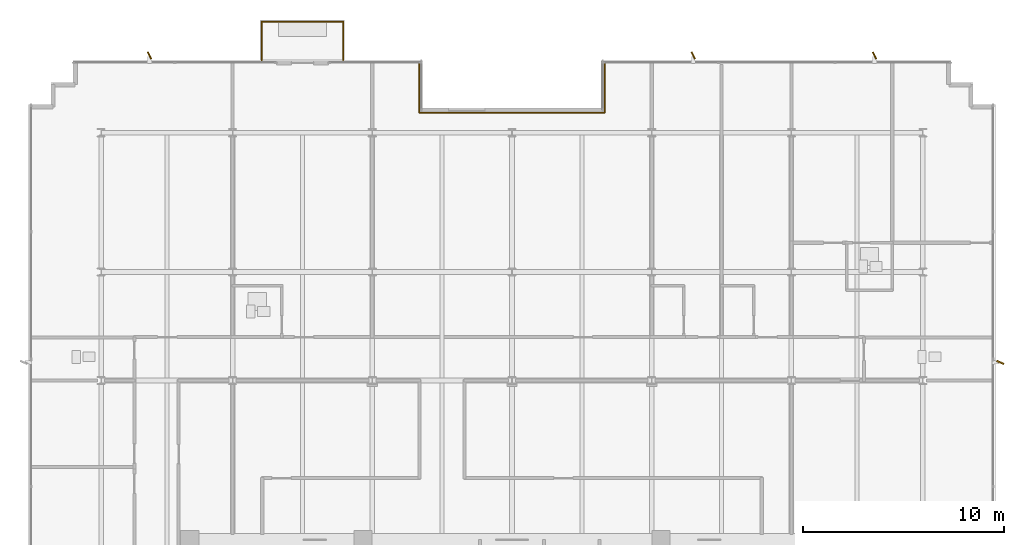
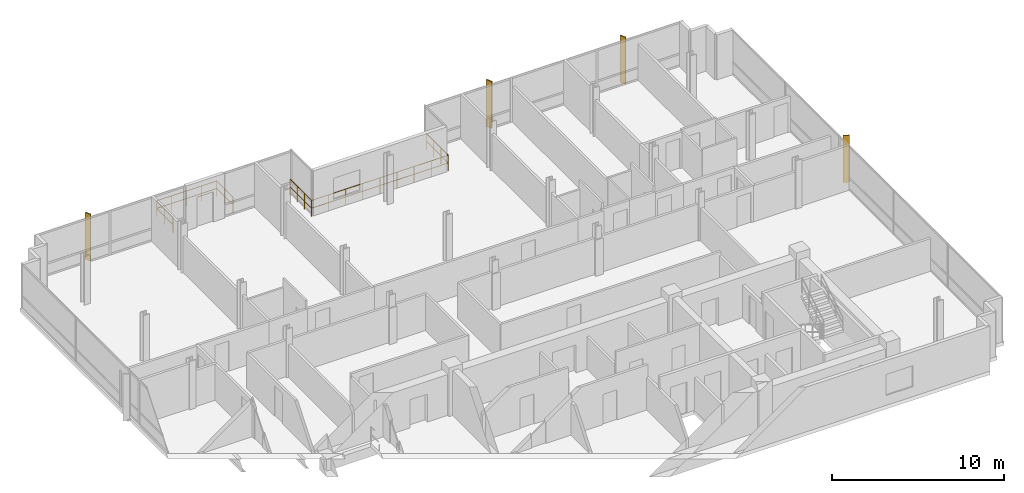
# One storey, part 16 of 17: 6 railings, 4 shading devices.
"""IFC4 building model written with IfcOpenShell, lengths in metres."""

from ifc_helpers import new_model, si_unit, direction, frame, origin, origin_2d, place, context, subcontext, project, spatial, rectangle, circle, extrude, material, layer, layer_set, type_object, element, save


model = new_model("IFC4")

# Units and contexts
model_context = context("Model", 3, precision=1e-05, world=origin(), true_north=direction((0.0, 1.0)))
body_context = subcontext(model_context, "Body", "Model", "MODEL_VIEW")
ifc_project = project(units=[si_unit("LENGTHUNIT", "METRE"), si_unit("AREAUNIT", "SQUARE_METRE"), si_unit("VOLUMEUNIT", "CUBIC_METRE"), si_unit("PLANEANGLEUNIT", "RADIAN"), si_unit("MASSUNIT", "GRAM", prefix="KILO")], contexts=[model_context])

# Site, building, storey
site_placement = place(None, origin())
site = spatial("IfcSite", under=ifc_project, at=site_placement, CompositionType="ELEMENT")
building_placement = place(site_placement, origin())
building = spatial("IfcBuilding", under=site, at=building_placement, Name="Solmavex Isthmus Hotel", CompositionType="ELEMENT")
storey_placement = place(building_placement, frame((0.0, 0.0, 266.10009765625)))
storey = spatial("IfcBuildingStorey", under=building, at=storey_placement, Name="L72", CompositionType="ELEMENT", Elevation=266.10009765625)

# Railings
ifc_material_1 = material(Name="Clear low-E laminated glass", Category="glass")
ifc_layer_1 = layer(ifc_material_1, 0.080078125)
ifc_layer_set_1 = layer_set([ifc_layer_1], Name="Clear low-E laminated glass")
railing_type_1 = type_object("IfcRailingType", Name="RAIL-ATRIUM-1120", PredefinedType="BALUSTRADE", material=ifc_layer_set_1)
railing_1_placement = place(storey_placement, frame((-4.60009765625, 21.219970703125, 0.0)))
element("IfcRailing", 1, at=railing_1_placement, inside=storey, type_object=railing_type_1, Name="Guardrail Balustrade L72-SGV-01", PredefinedType="BALUSTRADE", context=body_context, shape_type="SweptSolid", body=[
    extrude(circle(Radius=0.02392578125, at=origin_2d()), frame((0.0, 0.0, 1.1259765625), z_axis=(0.0, -1.0, 0.0), x_axis=(1.0, 0.0, 0.0)), (0.0, 0.0, 1.0), 2.52001953125),
    extrude(circle(Radius=0.02392578125, at=origin_2d()), frame((0.0, 0.0, 0.574951171875), z_axis=(0.0, -1.0, 0.0), x_axis=(1.0, 0.0, 0.0)), (0.0, 0.0, 1.0), 2.52001953125),
    extrude(circle(Radius=0.02099609375, at=origin_2d()), origin(), (0.0, 0.0, 1.0), 1.101806640625),
    extrude(circle(Radius=0.02099609375, at=origin_2d()), frame((0.0, -0.840087890625, 0.0)), (0.0, 0.0, 1.0), 1.101806640625),
    extrude(circle(Radius=0.02099609375, at=origin_2d()), frame((0.0, -1.679931640625, 0.0)), (0.0, 0.0, 1.0), 1.101806640625),
    extrude(circle(Radius=0.02099609375, at=origin_2d()), frame((0.0, -2.52001953125, 0.0)), (0.0, 0.0, 1.0), 1.101806640625),
])
railing_2_placement = place(storey_placement, frame((-4.60009765625, 18.699951171875, 0.0)))
element("IfcRailing", 2, at=railing_2_placement, inside=storey, type_object=railing_type_1, Name="Guardrail Balustrade L72-SGV-02", PredefinedType="BALUSTRADE", context=body_context, shape_type="SweptSolid", body=[
    extrude(circle(Radius=0.02392578125, at=origin_2d()), frame((0.0, 0.0, 1.1259765625), z_axis=(1.0, 0.0, 0.0), x_axis=(0.0, 1.0, 0.0)), (0.0, 0.0, 1.0), 9.2001953125),
    extrude(circle(Radius=0.02392578125, at=origin_2d()), frame((0.0, 0.0, 0.574951171875), z_axis=(1.0, 0.0, 0.0), x_axis=(0.0, 1.0, 0.0)), (0.0, 0.0, 1.0), 9.2001953125),
    extrude(circle(Radius=0.02099609375, at=origin_2d()), origin(), (0.0, 0.0, 1.0), 1.101806640625),
    extrude(circle(Radius=0.02099609375, at=origin_2d()), frame((1.14990234375, 0.0, 0.0)), (0.0, 0.0, 1.0), 1.101806640625),
    extrude(circle(Radius=0.02099609375, at=origin_2d()), frame((2.300048828125, 0.0, 0.0)), (0.0, 0.0, 1.0), 1.101806640625),
    extrude(circle(Radius=0.02099609375, at=origin_2d()), frame((3.4501953125, 0.0, 0.0)), (0.0, 0.0, 1.0), 1.101806640625),
    extrude(circle(Radius=0.02099609375, at=origin_2d()), frame((4.60009765625, 0.0, 0.0)), (0.0, 0.0, 1.0), 1.101806640625),
    extrude(circle(Radius=0.02099609375, at=origin_2d()), frame((5.75, 0.0, 0.0)), (0.0, 0.0, 1.0), 1.101806640625),
    extrude(circle(Radius=0.02099609375, at=origin_2d()), frame((6.900146484375, 0.0, 0.0)), (0.0, 0.0, 1.0), 1.101806640625),
    extrude(circle(Radius=0.02099609375, at=origin_2d()), frame((8.05029296875, 0.0, 0.0)), (0.0, 0.0, 1.0), 1.101806640625),
    extrude(circle(Radius=0.02099609375, at=origin_2d()), frame((9.2001953125, 0.0, 0.0)), (0.0, 0.0, 1.0), 1.101806640625),
])
railing_3_placement = place(storey_placement, frame((4.60009765625, 18.699951171875, 0.0)))
element("IfcRailing", 3, at=railing_3_placement, inside=storey, type_object=railing_type_1, Name="Guardrail Balustrade L72-SGV-03", PredefinedType="BALUSTRADE", context=body_context, shape_type="SweptSolid", body=[
    extrude(circle(Radius=0.02392578125, at=origin_2d()), frame((0.0, 0.0, 1.1259765625), z_axis=(0.0, 1.0, 0.0), x_axis=(-1.0, 0.0, 0.0)), (0.0, 0.0, 1.0), 2.52001953125),
    extrude(circle(Radius=0.02392578125, at=origin_2d()), frame((0.0, 0.0, 0.574951171875), z_axis=(0.0, 1.0, 0.0), x_axis=(-1.0, 0.0, 0.0)), (0.0, 0.0, 1.0), 2.52001953125),
    extrude(circle(Radius=0.02099609375, at=origin_2d()), origin(), (0.0, 0.0, 1.0), 1.101806640625),
    extrude(circle(Radius=0.02099609375, at=origin_2d()), frame((0.0, 0.840087890625, 0.0)), (0.0, 0.0, 1.0), 1.101806640625),
    extrude(circle(Radius=0.02099609375, at=origin_2d()), frame((0.0, 1.679931640625, 0.0)), (0.0, 0.0, 1.0), 1.101806640625),
    extrude(circle(Radius=0.02099609375, at=origin_2d()), frame((0.0, 2.52001953125, 0.0)), (0.0, 0.0, 1.0), 1.101806640625),
])
ifc_layer_2 = layer(ifc_material_1, 0.070068359375)
ifc_layer_set_2 = layer_set([ifc_layer_2], Name="Clear low-E laminated glass")
railing_type_2 = type_object("IfcRailingType", Name="RAIL-GUARD-1100", PredefinedType="BALUSTRADE", material=ifc_layer_set_2)
railing_4_placement = place(storey_placement, frame((-12.424072265625, 21.300048828125, 0.0)))
element("IfcRailing", 4, at=railing_4_placement, inside=storey, type_object=railing_type_2, Name="Guardrail Balustrade L72-BAL1-01", PredefinedType="BALUSTRADE", context=body_context, shape_type="SweptSolid", body=[
    extrude(circle(Radius=0.02392578125, at=origin_2d()), frame((0.0, 0.0, 1.09619140625), z_axis=(0.0, 1.0, 0.0), x_axis=(-1.0, 0.0, 0.0)), (0.0, 0.0, 1.0), 1.919921875),
    extrude(circle(Radius=0.02392578125, at=origin_2d()), frame((0.0, 0.0, 0.56005859375), z_axis=(0.0, 1.0, 0.0), x_axis=(-1.0, 0.0, 0.0)), (0.0, 0.0, 1.0), 1.919921875),
    extrude(circle(Radius=0.02099609375, at=origin_2d()), origin(), (0.0, 0.0, 1.0), 1.072021484375),
    extrude(circle(Radius=0.02099609375, at=origin_2d()), frame((0.0, 0.9599609375, 0.0)), (0.0, 0.0, 1.0), 1.072021484375),
    extrude(circle(Radius=0.02099609375, at=origin_2d()), frame((0.0, 1.919921875, 0.0)), (0.0, 0.0, 1.0), 1.072021484375),
])
railing_5_placement = place(storey_placement, frame((-12.424072265625, 23.219970703125, 0.0)))
element("IfcRailing", 5, at=railing_5_placement, inside=storey, type_object=railing_type_2, Name="Guardrail Balustrade L72-BAL1-02", PredefinedType="BALUSTRADE", context=body_context, shape_type="SweptSolid", body=[
    extrude(circle(Radius=0.02392578125, at=origin_2d()), frame((0.0, 0.0, 1.09619140625), z_axis=(1.0, 0.0, 0.0), x_axis=(0.0, 1.0, 0.0)), (0.0, 0.0, 1.0), 4.0400390625),
    extrude(circle(Radius=0.02392578125, at=origin_2d()), frame((0.0, 0.0, 0.56005859375), z_axis=(1.0, 0.0, 0.0), x_axis=(0.0, 1.0, 0.0)), (0.0, 0.0, 1.0), 4.0400390625),
    extrude(circle(Radius=0.02099609375, at=origin_2d()), origin(), (0.0, 0.0, 1.0), 1.072021484375),
    extrude(circle(Radius=0.02099609375, at=origin_2d()), frame((1.010009765625, 0.0, 0.0)), (0.0, 0.0, 1.0), 1.072021484375),
    extrude(circle(Radius=0.02099609375, at=origin_2d()), frame((2.02001953125, 0.0, 0.0)), (0.0, 0.0, 1.0), 1.072021484375),
    extrude(circle(Radius=0.02099609375, at=origin_2d()), frame((3.030029296875, 0.0, 0.0)), (0.0, 0.0, 1.0), 1.072021484375),
    extrude(circle(Radius=0.02099609375, at=origin_2d()), frame((4.0400390625, 0.0, 0.0)), (0.0, 0.0, 1.0), 1.072021484375),
])
railing_6_placement = place(storey_placement, frame((-8.384033203125, 23.219970703125, 0.0)))
element("IfcRailing", 6, at=railing_6_placement, inside=storey, type_object=railing_type_2, Name="Guardrail Balustrade L72-BAL1-03", PredefinedType="BALUSTRADE", context=body_context, shape_type="SweptSolid", body=[
    extrude(circle(Radius=0.02392578125, at=origin_2d()), frame((0.0, 0.0, 1.09619140625), z_axis=(0.0, -1.0, 0.0), x_axis=(1.0, 0.0, 0.0)), (0.0, 0.0, 1.0), 1.919921875),
    extrude(circle(Radius=0.02392578125, at=origin_2d()), frame((0.0, 0.0, 0.56005859375), z_axis=(0.0, -1.0, 0.0), x_axis=(1.0, 0.0, 0.0)), (0.0, 0.0, 1.0), 1.919921875),
    extrude(circle(Radius=0.02099609375, at=origin_2d()), origin(), (0.0, 0.0, 1.0), 1.072021484375),
    extrude(circle(Radius=0.02099609375, at=origin_2d()), frame((0.0, -0.9599609375, 0.0)), (0.0, 0.0, 1.0), 1.072021484375),
    extrude(circle(Radius=0.02099609375, at=origin_2d()), frame((0.0, -1.919921875, 0.0)), (0.0, 0.0, 1.0), 1.072021484375),
])

# Shading devices
ifc_material_2 = material(Name="Aluminium alloy 6063-T6", Category="aluminium")
shading_device_type = type_object("IfcShadingDeviceType", Name="SHD-FIN-CHAMP", PredefinedType="USERDEFINED", material=ifc_material_2)
for number, where, z_axis, x_axis, name in (
    (7, (-18.0, 21.5400390625, -0.14013671875), (0.0, 0.0, 1.0), (-0.438371146789, 0.898794046299, 0.0), "Anodised Aluminium Solar Fin L72-N1"),
    (8, (9.0, 21.5400390625, -0.14013671875), (0.0, 0.0, 1.0), (-0.438371146789, 0.898794046299, 0.0), "Anodised Aluminium Solar Fin L72-N2"),
    (9, (18.0, 21.5400390625, -0.14013671875), (0.0, 0.0, 1.0), (-0.438371146789, 0.898794046299, 0.0), "Anodised Aluminium Solar Fin L72-N3"),
    (10, (24.239990234375, 6.300048828125, -0.14013671875), (0.0, 0.0, 1.0), (0.913545457643, -0.406736643076, 0.0), "Anodised Aluminium Solar Fin L72-E1"),
):
    element("IfcShadingDevice", number, at=place(storey_placement, frame(where, z_axis=z_axis, x_axis=x_axis)), inside=storey, type_object=shading_device_type, Name=name, ObjectType="SOLAR_FIN", PredefinedType="USERDEFINED", context=body_context, shape_type="SweptSolid", body=[
        extrude(rectangle(XDim=0.3798828125, YDim=0.070068359375, at=origin_2d()), origin(), (0.0, 0.0, 1.0), 3.330078125),
    ])

save(model, "model.ifc")
